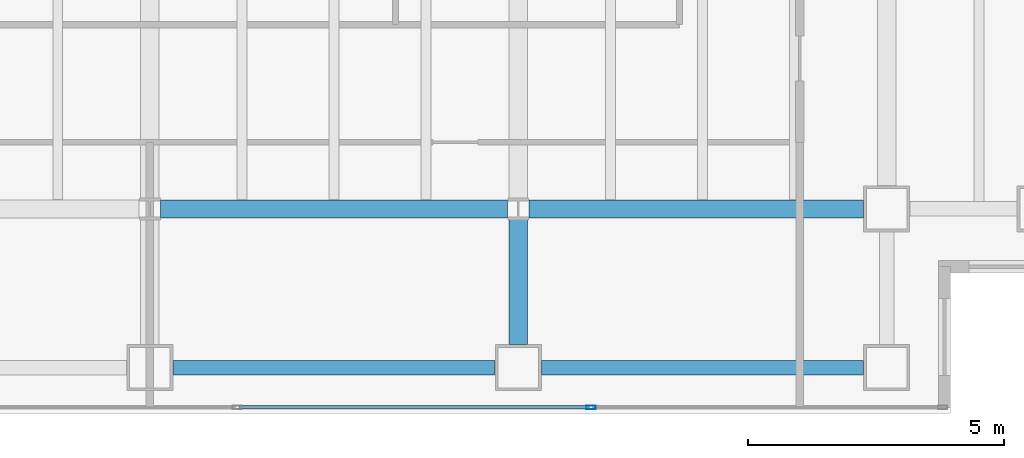
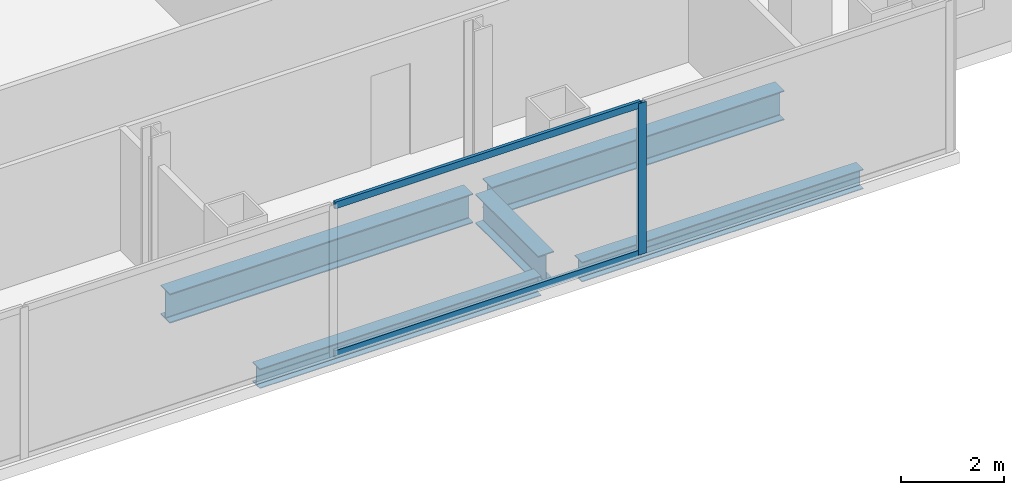
# One storey, part 9 of 24: 5 beams, 3 members, 1 element without a shape of its own.
"""IFC4 building model written with IfcOpenShell, lengths in metres."""

from ifc_helpers import new_model, si_unit, direction, frame, origin, origin_2d, place, context, subcontext, project, spatial, hollow_rectangle, i_section, extrude, material, material_profile, profile_set, type_object, element, aggregate, save


model = new_model("IFC4")

# Units and contexts
model_context = context("Model", 3, precision=1e-05, world=origin(), true_north=direction((0.0, 1.0)))
body_context = subcontext(model_context, "Body", "Model", "MODEL_VIEW")
ifc_project = project(units=[si_unit("LENGTHUNIT", "METRE"), si_unit("AREAUNIT", "SQUARE_METRE"), si_unit("VOLUMEUNIT", "CUBIC_METRE"), si_unit("PLANEANGLEUNIT", "RADIAN"), si_unit("MASSUNIT", "GRAM", prefix="KILO")], contexts=[model_context])

# Site, building, storey
site_placement = place(None, origin())
site = spatial("IfcSite", under=ifc_project, at=site_placement, CompositionType="ELEMENT")
building_placement = place(site_placement, origin())
building = spatial("IfcBuilding", under=site, at=building_placement, Name="Cobrela Telecom Tower", CompositionType="ELEMENT")
storey_placement = place(building_placement, frame((0.0, 0.0, 121.449951171875)))
storey = spatial("IfcBuildingStorey", under=building, at=storey_placement, Name="L30", CompositionType="ELEMENT", Elevation=121.449951171875)

# Beams
ifc_material_1 = material(Name="Steel ASTM A992 Grade 50", Category="steel")
ifc_material_profile_1 = material_profile(ifc_material_1, i_section(OverallWidth=0.35595703125, OverallDepth=0.696044921875, WebThickness=0.015380859375, FlangeThickness=0.024658203125, FilletRadius=0.01806640625, at=origin_2d()), Name="W27X146")
ifc_profile_set_1 = profile_set([ifc_material_profile_1], Name="Steel ASTM A992 Grade 50")
beam_type_1 = type_object("IfcBeamType", Name="BM-GIRD-05", PredefinedType="USERDEFINED", material=ifc_profile_set_1)
beam_1_placement = place(storey_placement, frame((29.009521484375, 7.199951171875, -0.617919921875), z_axis=(1.0, 0.0, 0.0), x_axis=(0.0, 1.0, 0.0)))
element("IfcBeam", 1, at=beam_1_placement, inside=storey, type_object=beam_type_1, Name="L30 Primary Girder X10", ObjectType="GIRDER", PredefinedType="USERDEFINED", context=body_context, shape_type="SweptSolid", body=[
    extrude(i_section(OverallWidth=0.35595703125, OverallDepth=0.696044921875, WebThickness=0.015380859375, FlangeThickness=0.024658203125, FilletRadius=0.01806640625, at=origin_2d()), origin(), (0.0, 0.0, 1.0), 6.781005859375),
])
beam_2_placement = place(storey_placement, frame((36.20947265625, 7.199951171875, -0.617919921875), z_axis=(1.0, 0.0, 0.0), x_axis=(0.0, 1.0, 0.0)))
element("IfcBeam", 2, at=beam_2_placement, inside=storey, type_object=beam_type_1, Name="L30 Primary Girder X11", ObjectType="GIRDER", PredefinedType="USERDEFINED", context=body_context, shape_type="SweptSolid", body=[
    extrude(i_section(OverallWidth=0.35595703125, OverallDepth=0.696044921875, WebThickness=0.015380859375, FlangeThickness=0.024658203125, FilletRadius=0.01806640625, at=origin_2d()), origin(), (0.0, 0.0, 1.0), 6.53564453125),
])
beam_3_placement = place(storey_placement, frame((36.0, 4.554931640625, -0.617919921875), z_axis=(0.0, 1.0, 0.0), x_axis=(-1.0, 0.0, 0.0)))
element("IfcBeam", 3, at=beam_3_placement, inside=storey, type_object=beam_type_1, Name="L30 Primary Girder Y49", ObjectType="GIRDER", PredefinedType="USERDEFINED", context=body_context, shape_type="SweptSolid", body=[
    extrude(i_section(OverallWidth=0.35595703125, OverallDepth=0.696044921875, WebThickness=0.015380859375, FlangeThickness=0.024658203125, FilletRadius=0.01806640625, at=origin_2d()), origin(), (0.0, 0.0, 1.0), 2.435546875),
])
ifc_material_profile_2 = material_profile(ifc_material_1, i_section(OverallWidth=0.281982421875, OverallDepth=0.467041015625, WebThickness=0.01220703125, FlangeThickness=0.01953125, FilletRadius=0.012939453125, at=origin_2d()), Name="W18X86")
ifc_profile_set_2 = profile_set([ifc_material_profile_2], Name="Steel ASTM A992 Grade 50")
beam_type_2 = type_object("IfcBeamType", Name="BM-SPAND-04", PredefinedType="SPANDREL", material=ifc_profile_set_2)
for number, where, z_axis, x_axis, name in (
    (4, (29.2548828125, 4.10009765625, -0.50341796875), (1.0, 0.0, 0.0), (0.0, 1.0, 0.0), "L30 Perimeter Spandrel X04"),
    (5, (36.455078125, 4.10009765625, -0.50341796875), (1.0, 0.0, 0.0), (0.0, 1.0, 0.0), "L30 Perimeter Spandrel X05"),
):
    element("IfcBeam", number, at=place(storey_placement, frame(where, z_axis=z_axis, x_axis=x_axis)), inside=storey, type_object=beam_type_2, Name=name, PredefinedType="SPANDREL", context=body_context, shape_type="SweptSolid", body=[
        extrude(i_section(OverallWidth=0.281982421875, OverallDepth=0.467041015625, WebThickness=0.01220703125, FlangeThickness=0.01953125, FilletRadius=0.012939453125, at=origin_2d()), origin(), (0.0, 0.0, 1.0), 6.2900390625),
    ])

# Curtain wall, members
ifc_material_2 = material(Name="Anodized Bronze Aluminium 6063-T6", Category="aluminium")
curtain_wall_type = type_object("IfcCurtainWallType", Name="CW-SYS-TEL", PredefinedType="USERDEFINED", material=ifc_material_2)
curtain_wall_placement = place(storey_placement, origin())
curtain_wall = element("IfcCurtainWall", 6, at=curtain_wall_placement, inside=storey, type_object=curtain_wall_type, Name="L30 Unitised Bronze Curtain Wall 17", ObjectType="UNITISED CURTAIN WALL", PredefinedType="USERDEFINED")
ifc_material_profile_3 = material_profile(ifc_material_2, hollow_rectangle(XDim=0.074951171875, YDim=0.179931640625, WallThickness=0.00390625, at=origin_2d()), Name="ALU 75x180x4")
ifc_profile_set_3 = profile_set([ifc_material_profile_3], Name="Anodized Bronze Aluminium 6063-T6")
member_type_1 = type_object("IfcMemberType", Name="CW-SYS-TEL-MUL", PredefinedType="MULLION", material=ifc_profile_set_3)
member_1_placement = place(storey_placement, frame((37.419921875, 3.320068359375, 0.0), z_axis=(0.0, 0.0, 1.0), x_axis=(0.0, -1.0, 0.0)))
member_1 = element("IfcMember", 7, at=member_1_placement, type_object=member_type_1, Name="CW-TEL mullion 2", PredefinedType="MULLION", context=body_context, shape_type="SweptSolid", body=[
    extrude(hollow_rectangle(XDim=0.074951171875, YDim=0.179931640625, WallThickness=0.00390625, at=origin_2d()), origin(), (0.0, 0.0, 1.0), 3.580078125),
])
ifc_material_profile_4 = material_profile(ifc_material_2, hollow_rectangle(XDim=0.070068359375, YDim=0.159912109375, WallThickness=0.00390625, at=origin_2d()), Name="ALU 70x160x4")
ifc_profile_set_4 = profile_set([ifc_material_profile_4], Name="Anodized Bronze Aluminium 6063-T6")
member_type_2 = type_object("IfcMemberType", Name="CW-SYS-TEL-TRN", PredefinedType="USERDEFINED", material=ifc_profile_set_4)
member_2_placement = place(storey_placement, frame((37.382568359375, 3.320068359375, 0.03515625), z_axis=(-1.0, 0.0, 0.0), x_axis=(0.0, -1.0, 0.0)))
member_2 = element("IfcMember", 8, at=member_2_placement, type_object=member_type_2, Name="CW-TEL transom 2.1", ObjectType="TRANSOM", PredefinedType="USERDEFINED", context=body_context, shape_type="SweptSolid", body=[
    extrude(hollow_rectangle(XDim=0.070068359375, YDim=0.159912109375, WallThickness=0.00390625, at=origin_2d()), origin(), (0.0, 0.0, 1.0), 6.8349609375),
])
member_3_placement = place(storey_placement, frame((37.382568359375, 3.320068359375, 3.545166015625), z_axis=(-1.0, 0.0, 0.0), x_axis=(0.0, -1.0, 0.0)))
member_3 = element("IfcMember", 9, at=member_3_placement, type_object=member_type_2, Name="CW-TEL transom 2.2", ObjectType="TRANSOM", PredefinedType="USERDEFINED", context=body_context, shape_type="SweptSolid", body=[
    extrude(hollow_rectangle(XDim=0.070068359375, YDim=0.159912109375, WallThickness=0.00390625, at=origin_2d()), origin(), (0.0, 0.0, 1.0), 6.8349609375),
])
aggregate(curtain_wall, [member_1, member_2, member_3])

save(model, "model.ifc")
